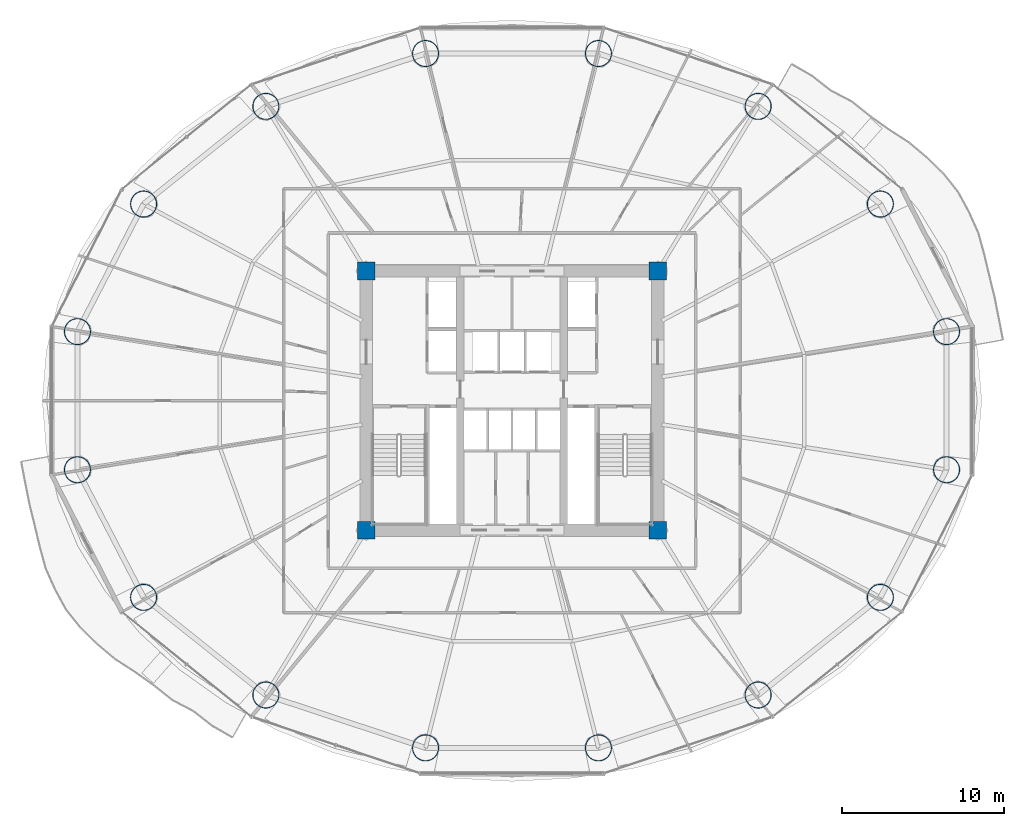
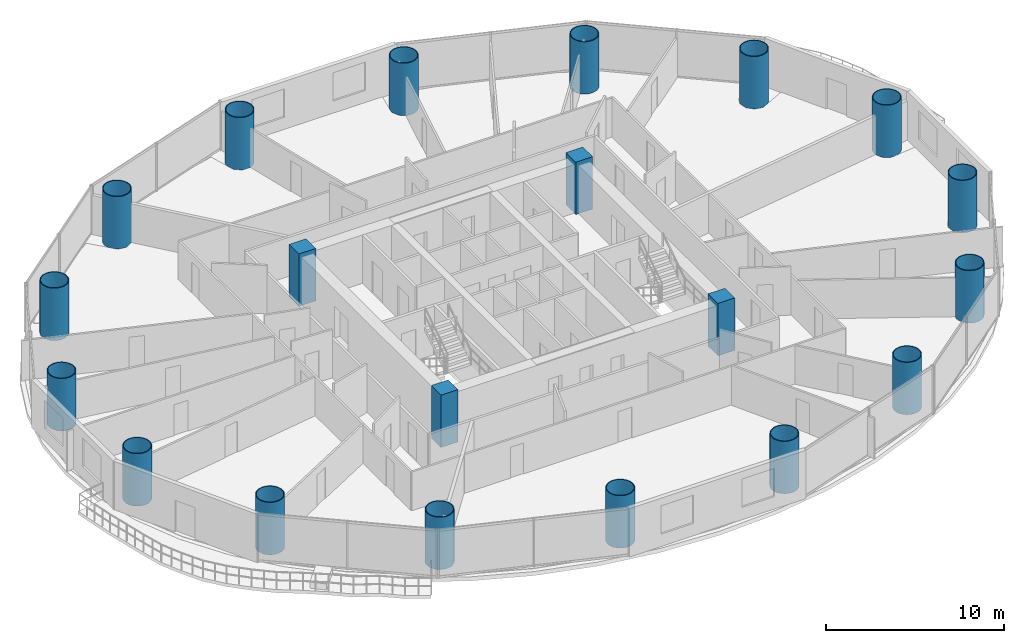
# One storey, part 1 of 28: 20 columns.
"""IFC4 building model written with IfcOpenShell, lengths in metres."""

from ifc_helpers import new_model, si_unit, direction, frame, origin, origin_2d, place, context, subcontext, project, spatial, rectangle, hollow_circle, extrude, material, material_profile, profile_set, type_object, element, save


model = new_model("IFC4")

# Units and contexts
model_context = context("Model", 3, precision=1e-05, world=origin(), true_north=direction((-0.2419218956, 0.970295726276)))
body_context = subcontext(model_context, "Body", "Model", "MODEL_VIEW")
ifc_project = project(units=[si_unit("LENGTHUNIT", "METRE"), si_unit("AREAUNIT", "SQUARE_METRE"), si_unit("VOLUMEUNIT", "CUBIC_METRE"), si_unit("PLANEANGLEUNIT", "RADIAN"), si_unit("MASSUNIT", "GRAM", prefix="KILO")], contexts=[model_context])

# Site, building, storey
site_placement = place(None, origin())
site = spatial("IfcSite", under=ifc_project, at=site_placement, CompositionType="ELEMENT")
building_placement = place(site_placement, origin())
building = spatial("IfcBuilding", under=site, at=building_placement, Name="Cobrevalo Terracotta Tower", CompositionType="ELEMENT")
storey_placement = place(building_placement, frame((0.0, 0.0, 38.39990234375)))
storey = spatial("IfcBuildingStorey", under=building, at=storey_placement, Name="L09", CompositionType="ELEMENT", Elevation=38.39990234375)

# Columns
ifc_material_1 = material(Name="Steel S355", Category="steel")
ifc_material_profile_1 = material_profile(ifc_material_1, hollow_circle(Radius=0.824951171875, WallThickness=0.050048828125, at=origin_2d()), Name="CHS 1650x50")
ifc_profile_set_1 = profile_set([ifc_material_profile_1], Name="Steel S355")
column_type_1 = type_object("IfcColumnType", Name="Structural Column CHS 1650x50 (Steel S355)", PredefinedType="COLUMN", material=ifc_profile_set_1)
for number, where, z_axis, x_axis, name in (
    (1, (64.824462890625, 31.062744140625, 0.0), (0.0, 0.0, 1.0), (1.0, 0.0, 0.0), "L09 composite megacolumn MC01"),
    (2, (60.74072265625, 38.939208984375, 0.0), (0.0, 0.0, 1.0), (1.0, 0.0, 0.0), "L09 composite megacolumn MC02"),
    (3, (53.19482421875, 44.967529296875, 0.0), (0.0, 0.0, 1.0), (1.0, 0.0, 0.0), "L09 composite megacolumn MC03"),
    (4, (43.335693359375, 48.230224609375, 0.0), (0.0, 0.0, 1.0), (1.0, 0.0, 0.0), "L09 composite megacolumn MC04"),
    (5, (32.664306640625, 48.230224609375, 0.0), (0.0, 0.0, 1.0), (1.0, 0.0, 0.0), "L09 composite megacolumn MC05"),
    (6, (22.80517578125, 44.967529296875, 0.0), (0.0, 0.0, 1.0), (1.0, 0.0, 0.0), "L09 composite megacolumn MC06"),
    (7, (15.25927734375, 38.939208984375, 0.0), (0.0, 0.0, 1.0), (1.0, 0.0, 0.0), "L09 composite megacolumn MC07"),
    (8, (11.175537109375, 31.062744140625, 0.0), (0.0, 0.0, 1.0), (1.0, 0.0, 0.0), "L09 composite megacolumn MC08"),
    (9, (11.175537109375, 22.537353515625, 0.0), (0.0, 0.0, 1.0), (1.0, 0.0, 0.0), "L09 composite megacolumn MC09"),
    (10, (15.25927734375, 14.660888671875, 0.0), (0.0, 0.0, 1.0), (1.0, 0.0, 0.0), "L09 composite megacolumn MC10"),
    (11, (22.80517578125, 8.63232421875, 0.0), (0.0, 0.0, 1.0), (1.0, 0.0, 0.0), "L09 composite megacolumn MC11"),
    (12, (32.664306640625, 5.369873046875, 0.0), (0.0, 0.0, 1.0), (1.0, 0.0, 0.0), "L09 composite megacolumn MC12"),
    (13, (43.335693359375, 5.369873046875, 0.0), (0.0, 0.0, 1.0), (1.0, 0.0, 0.0), "L09 composite megacolumn MC13"),
    (14, (53.19482421875, 8.63232421875, 0.0), (0.0, 0.0, 1.0), (1.0, 0.0, 0.0), "L09 composite megacolumn MC14"),
    (15, (60.74072265625, 14.660888671875, 0.0), (0.0, 0.0, 1.0), (1.0, 0.0, 0.0), "L09 composite megacolumn MC15"),
    (16, (64.824462890625, 22.537353515625, 0.0), (0.0, 0.0, 1.0), (1.0, 0.0, 0.0), "L09 composite megacolumn MC16"),
):
    element("IfcColumn", number, at=place(storey_placement, frame(where, z_axis=z_axis, x_axis=x_axis)), inside=storey, type_object=column_type_1, Name=name, PredefinedType="COLUMN", context=body_context, shape_type="SweptSolid", body=[
        extrude(hollow_circle(Radius=0.824951171875, WallThickness=0.050048828125, at=origin_2d()), origin(), (0.0, 0.0, 1.0), 3.60009765625),
    ])
ifc_material_2 = material(Name="Concrete C60", Category="concrete")
ifc_material_profile_2 = material_profile(ifc_material_2, rectangle(XDim=1.10009765625, YDim=1.10009765625, at=origin_2d()), Name="RC COL 1100x1100")
ifc_profile_set_2 = profile_set([ifc_material_profile_2], Name="Concrete C60")
column_type_2 = type_object("IfcColumnType", Name="Structural Column RC COL 1100x1100 (Concrete C60)", PredefinedType="COLUMN", material=ifc_profile_set_2)
for number, where, z_axis, x_axis, name in (
    (17, (29.0, 18.800048828125, 0.0), (0.0, 0.0, 1.0), (1.0, 0.0, 0.0), "L09 core corner column CC1"),
    (18, (47.0, 18.800048828125, 0.0), (0.0, 0.0, 1.0), (1.0, 0.0, 0.0), "L09 core corner column CC2"),
    (19, (47.0, 34.800048828125, 0.0), (0.0, 0.0, 1.0), (1.0, 0.0, 0.0), "L09 core corner column CC3"),
    (20, (29.0, 34.800048828125, 0.0), (0.0, 0.0, 1.0), (1.0, 0.0, 0.0), "L09 core corner column CC4"),
):
    element("IfcColumn", number, at=place(storey_placement, frame(where, z_axis=z_axis, x_axis=x_axis)), inside=storey, type_object=column_type_2, Name=name, PredefinedType="COLUMN", context=body_context, shape_type="SweptSolid", body=[
        extrude(rectangle(XDim=1.10009765625, YDim=1.10009765625, at=origin_2d()), origin(), (0.0, 0.0, 1.0), 3.60009765625),
    ])

save(model, "model.ifc")
